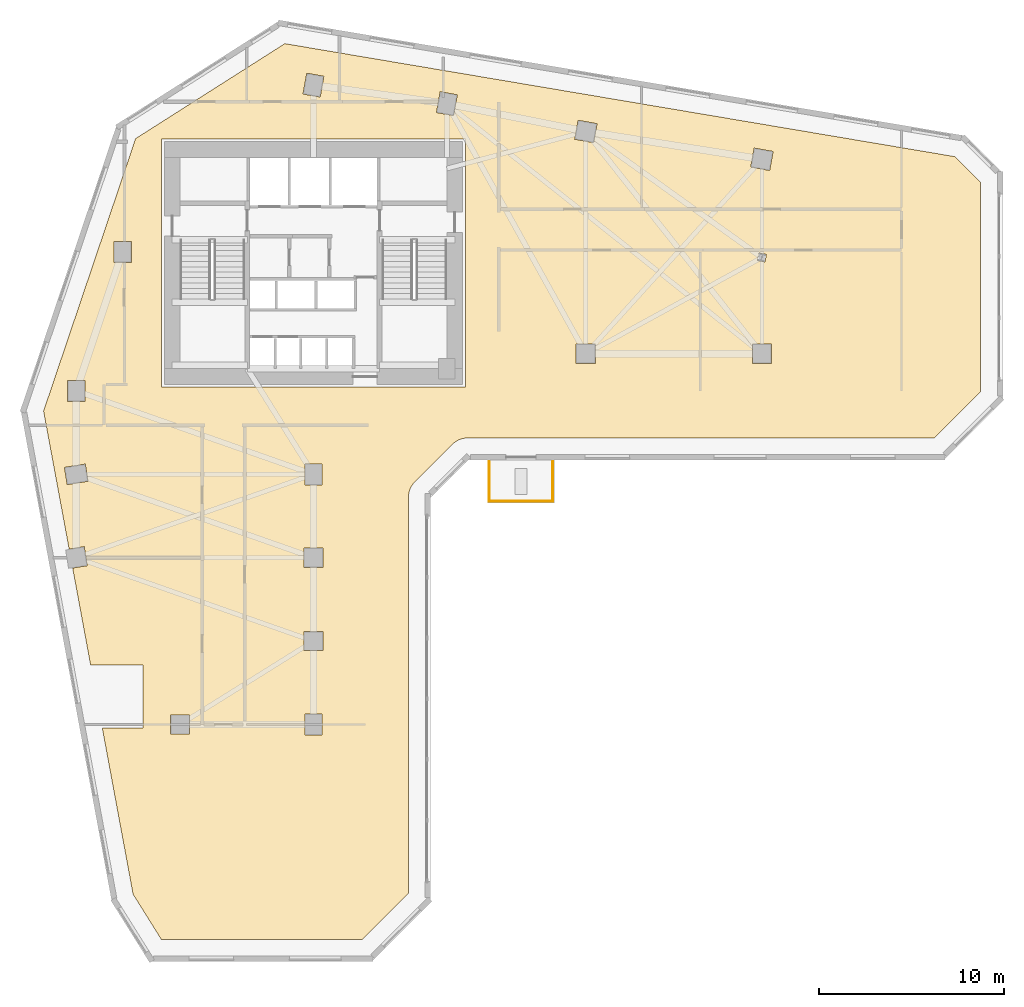
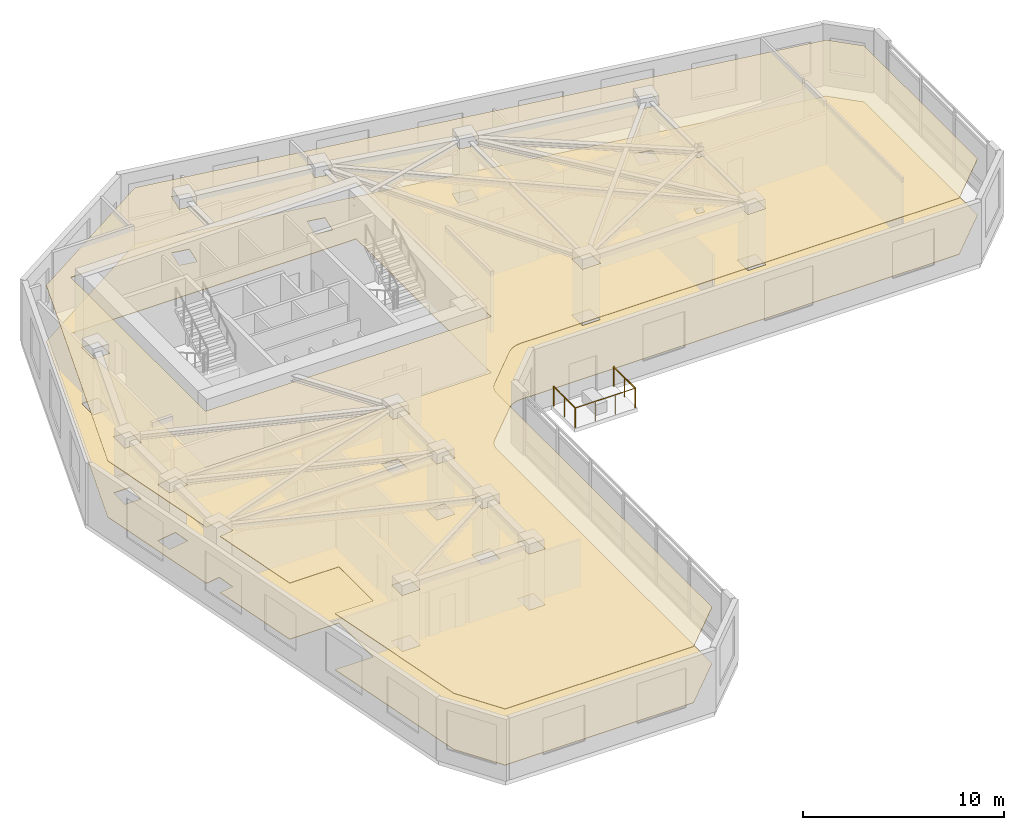
# One storey, part 10 of 11: 3 railings, 2 coverings.
"""IFC4 building model written with IfcOpenShell, lengths in metres."""

from ifc_helpers import new_model, si_unit, direction, frame, origin, origin_2d, place, context, subcontext, project, spatial, polyline, circle, outline, extrude, material, layer, layer_set, type_object, element, save


model = new_model("IFC4")

# Units and contexts
model_context = context("Model", 3, precision=1e-05, world=origin(), true_north=direction((0.0, 1.0)))
body_context = subcontext(model_context, "Body", "Model", "MODEL_VIEW")
ifc_project = project(units=[si_unit("LENGTHUNIT", "METRE"), si_unit("AREAUNIT", "SQUARE_METRE"), si_unit("VOLUMEUNIT", "CUBIC_METRE"), si_unit("PLANEANGLEUNIT", "RADIAN"), si_unit("MASSUNIT", "GRAM", prefix="KILO")], contexts=[model_context])

# Site, building, storey
site_placement = place(None, origin())
site = spatial("IfcSite", under=ifc_project, at=site_placement, CompositionType="ELEMENT")
building_placement = place(site_placement, origin())
building = spatial("IfcBuilding", under=site, at=building_placement, Name="Calvemar Wedge Station Tower", CompositionType="ELEMENT")
storey_placement = place(building_placement, frame((0.0, 0.0, 47.0)))
storey = spatial("IfcBuildingStorey", under=building, at=storey_placement, Name="L11", CompositionType="ELEMENT", Elevation=47.0)

# Coverings
ifc_material_1 = material(Name="Acoustic mineral fibre ceiling board")
ifc_layer_1 = layer(ifc_material_1, 0.0400390625)
ifc_layer_set_1 = layer_set([ifc_layer_1], Name="Acoustic mineral fibre ceiling board")
covering_type_1 = type_object("IfcCoveringType", Name="COV-CEIL-ACOUSTIC", PredefinedType="CEILING", material=ifc_layer_set_1)
covering_1_placement = place(storey_placement, frame((0.0, 0.0, 3.39990234375)))
element("IfcCovering", 1, at=covering_1_placement, inside=storey, type_object=covering_type_1, Name="Storey L11 Acoustic Suspended Ceiling", PredefinedType="CEILING", context=body_context, shape_type="SweptSolid", body=[
    extrude(outline(polyline([(29.279541015625, 28.1083984375), (31.279541015625, 30.1083984375), (31.36669921875, 30.1875), (31.461181640625, 30.2578125), (31.562255859375, 30.318359375), (31.668701171875, 30.36865234375), (31.77978515625, 30.408203125), (31.893798828125, 30.43701171875), (32.010498046875, 30.4541015625), (32.1279296875, 30.4599609375), (57.302978515625, 30.4599609375), (59.800048828125, 32.95703125), (59.800048828125, 44.262939453125), (58.422607421875, 45.640380859375), (22.255126953125, 51.739990234375), (14.201416015625, 46.614990234375), (9.23681640625, 31.911865234375), (10.6162109375, 24.465087890625), (11.43115234375, 24.595703125), (11.595703125, 23.56884765625), (10.805908203125, 23.4423828125), (11.777099609375, 18.199951171875), (14.60009765625, 18.199951171875), (14.60009765625, 14.800048828125), (12.406982421875, 14.800048828125), (14.06640625, 5.8427734375), (15.593017578125, 3.39990234375), (26.430908203125, 3.39990234375), (28.927978515625, 5.897216796875), (28.927978515625, 27.260009765625), (28.933837890625, 27.377685546875), (28.951171875, 27.494140625), (28.979736328125, 27.6083984375), (29.019287109375, 27.71923828125), (29.069580078125, 27.82568359375), (29.130126953125, 27.9267578125), (29.200439453125, 28.021240234375), (29.279541015625, 28.1083984375)]), holes=[polyline([(15.60009765625, 46.60009765625), (32.0, 46.60009765625), (32.0, 33.199951171875), (15.60009765625, 33.199951171875), (15.60009765625, 46.60009765625)]), polyline([(10.530029296875, 32.429931640625), (10.530029296875, 33.570068359375), (11.469970703125, 33.570068359375), (11.469970703125, 32.429931640625), (10.530029296875, 32.429931640625)]), polyline([(13.030029296875, 41.070068359375), (13.969970703125, 41.070068359375), (13.969970703125, 39.929931640625), (13.030029296875, 39.929931640625), (13.030029296875, 41.070068359375)]), polyline([(24.363525390625, 49.977783203125), (24.16162109375, 48.855712890625), (23.236572265625, 49.022216796875), (23.4384765625, 50.144287109375), (24.363525390625, 49.977783203125)]), polyline([(31.361572265625, 47.855712890625), (30.4365234375, 48.022216796875), (30.638427734375, 49.144287109375), (31.5634765625, 48.977783203125), (31.361572265625, 47.855712890625)]), polyline([(37.89599609375, 46.580322265625), (38.080322265625, 47.60400390625), (39.10400390625, 47.419677734375), (38.919677734375, 46.39599609375), (37.89599609375, 46.580322265625)]), polyline([(47.580322265625, 46.10400390625), (48.60400390625, 45.919677734375), (48.419677734375, 44.89599609375), (47.39599609375, 45.080322265625), (47.580322265625, 46.10400390625)]), polyline([(39.02001953125, 35.52001953125), (39.02001953125, 34.47998046875), (37.97998046875, 34.47998046875), (37.97998046875, 35.52001953125), (39.02001953125, 35.52001953125)]), polyline([(48.52001953125, 34.47998046875), (47.47998046875, 34.47998046875), (47.47998046875, 35.52001953125), (48.52001953125, 35.52001953125), (48.52001953125, 34.47998046875)]), polyline([(47.759765625, 40.033935546875), (47.832763671875, 40.439453125), (48.240234375, 40.3662109375), (48.167236328125, 39.960693359375), (47.759765625, 40.033935546875)]), polyline([(11.488525390625, 29.05419921875), (11.63720703125, 28.126220703125), (10.511474609375, 27.94580078125), (10.36279296875, 28.873779296875), (11.488525390625, 29.05419921875)]), polyline([(24.27001953125, 27.929931640625), (23.330078125, 27.929931640625), (23.330078125, 29.070068359375), (24.27001953125, 29.070068359375), (24.27001953125, 27.929931640625)]), polyline([(23.280029296875, 23.47998046875), (23.280029296875, 24.52001953125), (24.320068359375, 24.52001953125), (24.320068359375, 23.47998046875), (23.280029296875, 23.47998046875)]), polyline([(23.280029296875, 20.02001953125), (24.320068359375, 20.02001953125), (24.320068359375, 18.97998046875), (23.280029296875, 18.97998046875), (23.280029296875, 20.02001953125)]), polyline([(24.27001953125, 15.570068359375), (24.27001953125, 14.429931640625), (23.330078125, 14.429931640625), (23.330078125, 15.570068359375), (24.27001953125, 15.570068359375)]), polyline([(17.1201171875, 14.47998046875), (16.080078125, 14.47998046875), (16.080078125, 15.52001953125), (17.1201171875, 15.52001953125), (17.1201171875, 14.47998046875)])]), origin(), (0.0, 0.0, 1.0), 0.0400390625),
])
ifc_material_2 = material(Name="Commercial raised access floor")
ifc_layer_2 = layer(ifc_material_2, 0.030029296875)
ifc_layer_set_2 = layer_set([ifc_layer_2], Name="Commercial raised access floor")
covering_type_2 = type_object("IfcCoveringType", Name="COV-FLR-RAISED", PredefinedType="FLOORING", material=ifc_layer_set_2)
covering_2_placement = place(storey_placement, origin())
element("IfcCovering", 2, at=covering_2_placement, inside=storey, type_object=covering_type_2, Name="Storey L11 Architectural Floor Finish", PredefinedType="FLOORING", context=body_context, shape_type="SweptSolid", body=[
    extrude(outline(polyline([(29.279541015625, 28.1083984375), (31.279541015625, 30.1083984375), (31.36669921875, 30.1875), (31.461181640625, 30.2578125), (31.562255859375, 30.318359375), (31.668701171875, 30.36865234375), (31.77978515625, 30.408203125), (31.893798828125, 30.43701171875), (32.010498046875, 30.4541015625), (32.1279296875, 30.4599609375), (57.302978515625, 30.4599609375), (59.800048828125, 32.95703125), (59.800048828125, 44.262939453125), (58.422607421875, 45.640380859375), (22.255126953125, 51.739990234375), (14.201416015625, 46.614990234375), (9.23681640625, 31.911865234375), (10.6162109375, 24.465087890625), (11.43115234375, 24.595703125), (11.595703125, 23.56884765625), (10.805908203125, 23.4423828125), (11.777099609375, 18.199951171875), (14.60009765625, 18.199951171875), (14.60009765625, 14.800048828125), (12.406982421875, 14.800048828125), (14.06640625, 5.8427734375), (15.593017578125, 3.39990234375), (26.430908203125, 3.39990234375), (28.927978515625, 5.897216796875), (28.927978515625, 27.260009765625), (28.933837890625, 27.377685546875), (28.951171875, 27.494140625), (28.979736328125, 27.6083984375), (29.019287109375, 27.71923828125), (29.069580078125, 27.82568359375), (29.130126953125, 27.9267578125), (29.200439453125, 28.021240234375), (29.279541015625, 28.1083984375)]), holes=[polyline([(15.60009765625, 46.60009765625), (32.0, 46.60009765625), (32.0, 33.199951171875), (15.60009765625, 33.199951171875), (15.60009765625, 46.60009765625)]), polyline([(10.530029296875, 32.429931640625), (10.530029296875, 33.570068359375), (11.469970703125, 33.570068359375), (11.469970703125, 32.429931640625), (10.530029296875, 32.429931640625)]), polyline([(13.030029296875, 41.070068359375), (13.969970703125, 41.070068359375), (13.969970703125, 39.929931640625), (13.030029296875, 39.929931640625), (13.030029296875, 41.070068359375)]), polyline([(24.363525390625, 49.977783203125), (24.16162109375, 48.855712890625), (23.236572265625, 49.022216796875), (23.4384765625, 50.144287109375), (24.363525390625, 49.977783203125)]), polyline([(31.361572265625, 47.855712890625), (30.4365234375, 48.022216796875), (30.638427734375, 49.144287109375), (31.5634765625, 48.977783203125), (31.361572265625, 47.855712890625)]), polyline([(37.89599609375, 46.580322265625), (38.080322265625, 47.60400390625), (39.10400390625, 47.419677734375), (38.919677734375, 46.39599609375), (37.89599609375, 46.580322265625)]), polyline([(47.580322265625, 46.10400390625), (48.60400390625, 45.919677734375), (48.419677734375, 44.89599609375), (47.39599609375, 45.080322265625), (47.580322265625, 46.10400390625)]), polyline([(39.02001953125, 35.52001953125), (39.02001953125, 34.47998046875), (37.97998046875, 34.47998046875), (37.97998046875, 35.52001953125), (39.02001953125, 35.52001953125)]), polyline([(48.52001953125, 34.47998046875), (47.47998046875, 34.47998046875), (47.47998046875, 35.52001953125), (48.52001953125, 35.52001953125), (48.52001953125, 34.47998046875)]), polyline([(47.759765625, 40.033935546875), (47.832763671875, 40.439453125), (48.240234375, 40.3662109375), (48.167236328125, 39.960693359375), (47.759765625, 40.033935546875)]), polyline([(11.488525390625, 29.05419921875), (11.63720703125, 28.126220703125), (10.511474609375, 27.94580078125), (10.36279296875, 28.873779296875), (11.488525390625, 29.05419921875)]), polyline([(24.27001953125, 27.929931640625), (23.330078125, 27.929931640625), (23.330078125, 29.070068359375), (24.27001953125, 29.070068359375), (24.27001953125, 27.929931640625)]), polyline([(23.280029296875, 23.47998046875), (23.280029296875, 24.52001953125), (24.320068359375, 24.52001953125), (24.320068359375, 23.47998046875), (23.280029296875, 23.47998046875)]), polyline([(23.280029296875, 20.02001953125), (24.320068359375, 20.02001953125), (24.320068359375, 18.97998046875), (23.280029296875, 18.97998046875), (23.280029296875, 20.02001953125)]), polyline([(24.27001953125, 15.570068359375), (24.27001953125, 14.429931640625), (23.330078125, 14.429931640625), (23.330078125, 15.570068359375), (24.27001953125, 15.570068359375)]), polyline([(17.1201171875, 14.47998046875), (16.080078125, 14.47998046875), (16.080078125, 15.52001953125), (17.1201171875, 15.52001953125), (17.1201171875, 14.47998046875)])]), origin(), (0.0, 0.0, 1.0), 0.030029296875),
])

# Railings
ifc_material_3 = material(Name="Stainless steel AISI 316L", Category="steel")
railing_type = type_object("IfcRailingType", Name="GRD-TERR-1200", PredefinedType="GUARDRAIL", material=ifc_material_3)
railing_1_placement = place(storey_placement, frame((36.719970703125, 29.179931640625, 0.0)))
element("IfcRailing", 3, at=railing_1_placement, inside=storey, type_object=railing_type, Name="Storey L11 Spiral Terrace Guard 2", PredefinedType="GUARDRAIL", context=body_context, shape_type="SweptSolid", body=[
    extrude(circle(Radius=0.02392578125, at=origin_2d()), frame((0.0, 0.0, 1.17578125), z_axis=(0.0, -1.0, 0.0), x_axis=(1.0, 0.0, 0.0)), (0.0, 0.0, 1.0), 2.139892578125),
    extrude(circle(Radius=0.02099609375, at=origin_2d()), origin(), (0.0, 0.0, 1.0), 1.15185546875),
    extrude(circle(Radius=0.02099609375, at=origin_2d()), frame((0.0, -1.06982421875, 0.0)), (0.0, 0.0, 1.0), 1.15185546875),
    extrude(circle(Radius=0.02099609375, at=origin_2d()), frame((0.0, -2.139892578125, 0.0)), (0.0, 0.0, 1.0), 1.15185546875),
])
railing_2_placement = place(storey_placement, frame((36.719970703125, 27.0400390625, 0.0)))
element("IfcRailing", 4, at=railing_2_placement, inside=storey, type_object=railing_type, Name="Storey L11 Spiral Terrace Guard 3", PredefinedType="GUARDRAIL", context=body_context, shape_type="SweptSolid", body=[
    extrude(circle(Radius=0.02392578125, at=origin_2d()), frame((0.0, 0.0, 1.17578125), z_axis=(-1.0, 0.0, 0.0), x_axis=(0.0, -1.0, 0.0)), (0.0, 0.0, 1.0), 3.43994140625),
    extrude(circle(Radius=0.02099609375, at=origin_2d()), origin(), (0.0, 0.0, 1.0), 1.15185546875),
    extrude(circle(Radius=0.02099609375, at=origin_2d()), frame((-1.146728515625, 0.0, 0.0)), (0.0, 0.0, 1.0), 1.15185546875),
    extrude(circle(Radius=0.02099609375, at=origin_2d()), frame((-2.293212890625, 0.0, 0.0)), (0.0, 0.0, 1.0), 1.15185546875),
    extrude(circle(Radius=0.02099609375, at=origin_2d()), frame((-3.43994140625, 0.0, 0.0)), (0.0, 0.0, 1.0), 1.15185546875),
])
railing_3_placement = place(storey_placement, frame((33.280029296875, 27.0400390625, 0.0)))
element("IfcRailing", 5, at=railing_3_placement, inside=storey, type_object=railing_type, Name="Storey L11 Spiral Terrace Guard 4", PredefinedType="GUARDRAIL", context=body_context, shape_type="SweptSolid", body=[
    extrude(circle(Radius=0.02392578125, at=origin_2d()), frame((0.0, 0.0, 1.17578125), z_axis=(0.0, 1.0, 0.0), x_axis=(-1.0, 0.0, 0.0)), (0.0, 0.0, 1.0), 2.139892578125),
    extrude(circle(Radius=0.02099609375, at=origin_2d()), origin(), (0.0, 0.0, 1.0), 1.15185546875),
    extrude(circle(Radius=0.02099609375, at=origin_2d()), frame((0.0, 1.06982421875, 0.0)), (0.0, 0.0, 1.0), 1.15185546875),
    extrude(circle(Radius=0.02099609375, at=origin_2d()), frame((0.0, 2.139892578125, 0.0)), (0.0, 0.0, 1.0), 1.15185546875),
])

save(model, "model.ifc")
